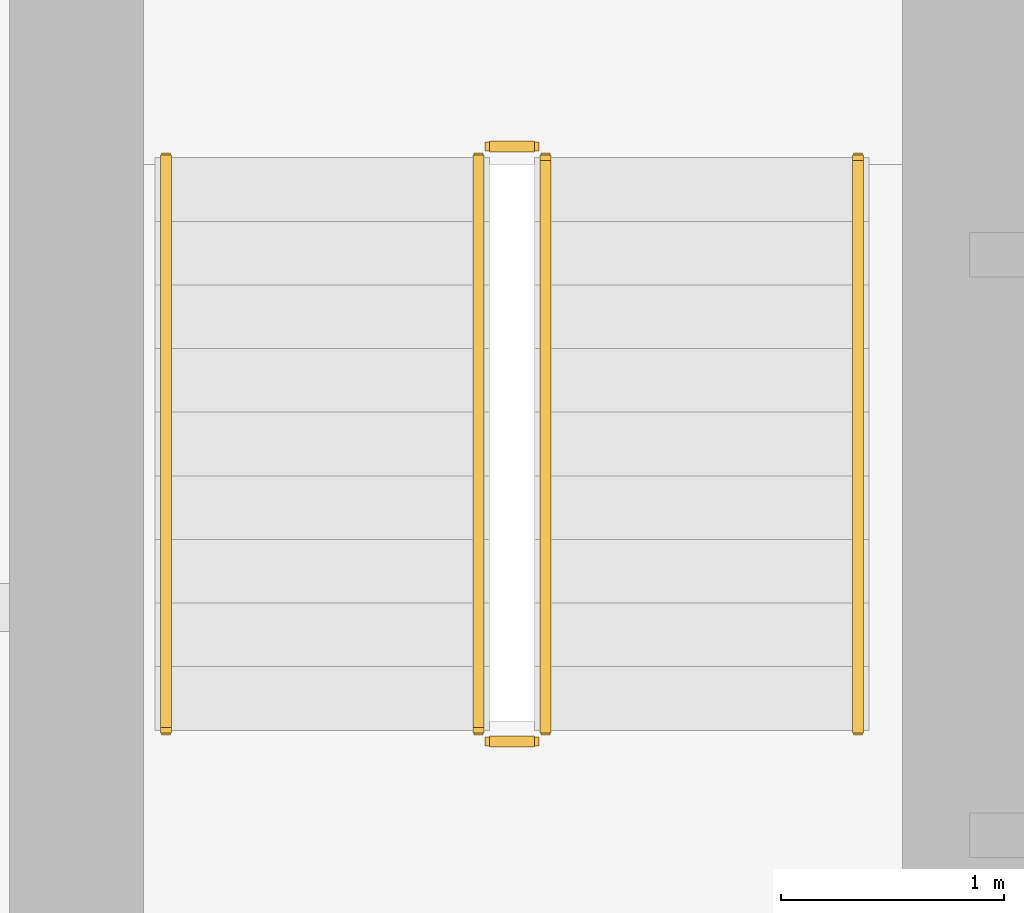
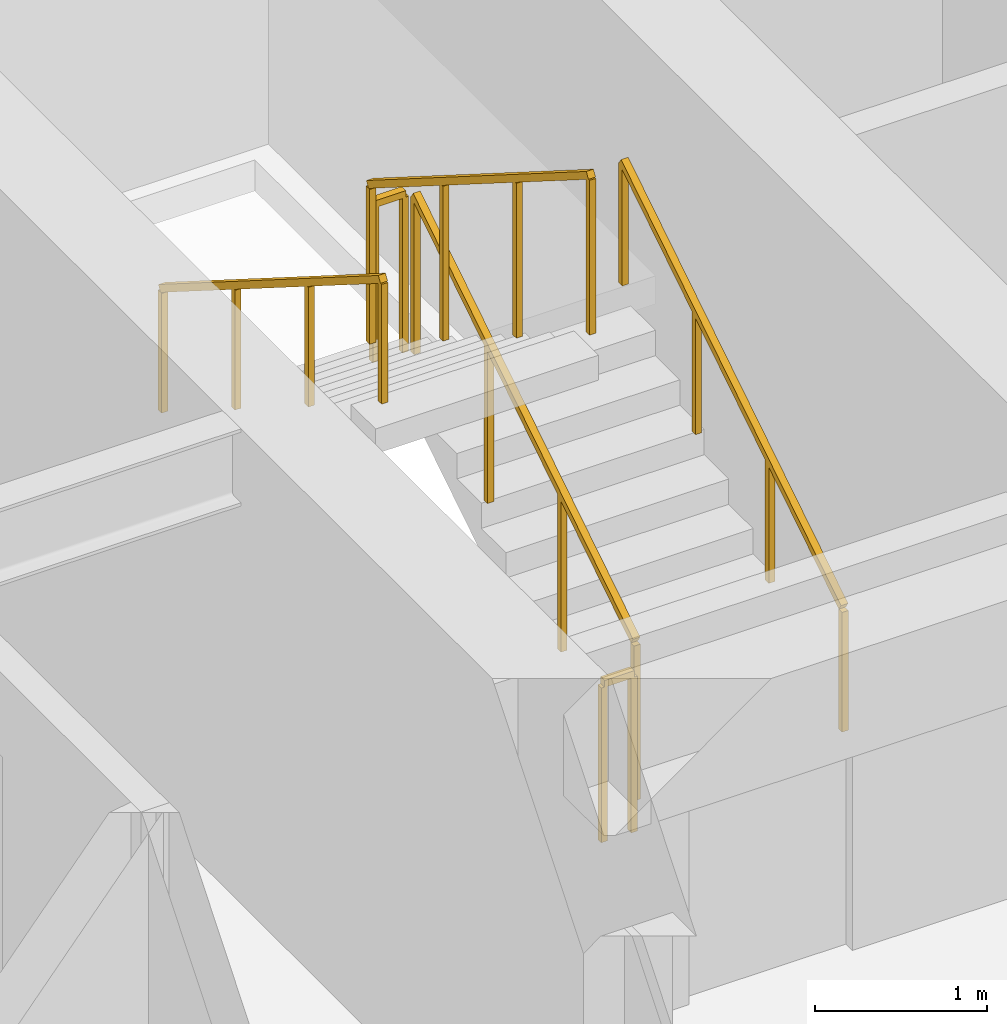
# One storey, part 24 of 26: 6 railings.
"""IFC4 building model written with IfcOpenShell, lengths in metres."""

from ifc_helpers import new_model, si_unit, direction, frame, origin, origin_2d, place, context, subcontext, project, spatial, rectangle, extrude, material, type_object, element, save


model = new_model("IFC4")

# Units and contexts
model_context = context("Model", 3, precision=1e-05, world=origin(), true_north=direction((0.0, 1.0)))
body_context = subcontext(model_context, "Body", "Model", "MODEL_VIEW")
ifc_project = project(units=[si_unit("LENGTHUNIT", "METRE"), si_unit("AREAUNIT", "SQUARE_METRE"), si_unit("VOLUMEUNIT", "CUBIC_METRE"), si_unit("PLANEANGLEUNIT", "RADIAN"), si_unit("MASSUNIT", "GRAM", prefix="KILO")], contexts=[model_context])

# Site, building, storey
site_placement = place(None, origin())
site = spatial("IfcSite", under=ifc_project, at=site_placement, CompositionType="ELEMENT")
building_placement = place(site_placement, origin())
building = spatial("IfcBuilding", under=site, at=building_placement, Name="Sarneth Arch Tower", CompositionType="ELEMENT")
storey_placement = place(building_placement, frame((0.0, 0.0, 49.800048828125)))
storey = spatial("IfcBuildingStorey", under=building, at=storey_placement, Name="L11", CompositionType="ELEMENT", Elevation=49.800048828125)

# Railings
ifc_material_1 = material(Name="Brushed Stainless Steel 304 tubular handrail", Category="steel")
railing_type_1 = type_object("IfcRailingType", Name="RAIL-HANDRAIL-900", PredefinedType="HANDRAIL", material=ifc_material_1)
railing_1_placement = place(storey_placement, frame((40.5, 41.449951171875, 0.179931640625)))
element("IfcRailing", 1, at=railing_1_placement, inside=storey, type_object=railing_type_1, Name="L11 ST-1 stair handrail 1", PredefinedType="HANDRAIL", context=body_context, shape_type="SweptSolid", body=[
    extrude(rectangle(XDim=0.048095703125, YDim=0.048095703125, at=origin_2d()), frame((0.0, 0.0, 0.8759765625), z_axis=(0.0, 0.845465955043, 0.534029323973), x_axis=(-1.0, 0.0, 0.0)), (0.0, 0.0, 1.0), 3.03369140625),
    extrude(rectangle(XDim=0.0419921875, YDim=0.0419921875, at=origin_2d()), origin(), (0.0, 0.0, 1.0), 0.851806640625),
    extrude(rectangle(XDim=0.0419921875, YDim=0.0419921875, at=origin_2d()), frame((0.0, 0.85498046875, 0.5400390625)), (0.0, 0.0, 1.0), 0.851806640625),
    extrude(rectangle(XDim=0.0419921875, YDim=0.0419921875, at=origin_2d()), frame((0.0, 1.7099609375, 1.080078125)), (0.0, 0.0, 1.0), 0.851806640625),
    extrude(rectangle(XDim=0.0419921875, YDim=0.0419921875, at=origin_2d()), frame((0.0, 2.56494140625, 1.6201171875)), (0.0, 0.0, 1.0), 0.851806640625),
])
railing_2_placement = place(storey_placement, frame((37.39990234375, 44.014892578125, 1.97998046875)))
element("IfcRailing", 2, at=railing_2_placement, inside=storey, type_object=railing_type_1, Name="L11 ST-1 stair handrail 2", PredefinedType="HANDRAIL", context=body_context, shape_type="SweptSolid", body=[
    extrude(rectangle(XDim=0.048095703125, YDim=0.048095703125, at=origin_2d()), frame((0.0, 0.0, 0.8759765625), z_axis=(0.0, -0.845502289212, 0.533971796014), x_axis=(1.0, 0.0, 0.0)), (0.0, 0.0, 1.0), 3.03369140625),
    extrude(rectangle(XDim=0.0419921875, YDim=0.0419921875, at=origin_2d()), origin(), (0.0, 0.0, 1.0), 0.851806640625),
    extrude(rectangle(XDim=0.0419921875, YDim=0.0419921875, at=origin_2d()), frame((0.0, -0.85498046875, 0.5400390625)), (0.0, 0.0, 1.0), 0.851806640625),
    extrude(rectangle(XDim=0.0419921875, YDim=0.0419921875, at=origin_2d()), frame((0.0, -1.7099609375, 1.079833984375)), (0.0, 0.0, 1.0), 0.851806640625),
    extrude(rectangle(XDim=0.0419921875, YDim=0.0419921875, at=origin_2d()), frame((0.0, -2.56494140625, 1.619873046875)), (0.0, 0.0, 1.0), 0.851806640625),
])
ifc_material_2 = material(Name="Painted Steel S275 stair well guard", Category="steel")
railing_type_2 = type_object("IfcRailingType", Name="RAIL-STAIR-GUARD", PredefinedType="GUARDRAIL", material=ifc_material_2)
railing_3_placement = place(storey_placement, frame((39.10009765625, 41.449951171875, 0.179931640625)))
element("IfcRailing", 3, at=railing_3_placement, inside=storey, type_object=railing_type_2, Name="L11 ST-1 stair guard 1", PredefinedType="GUARDRAIL", context=body_context, shape_type="SweptSolid", body=[
    extrude(rectangle(XDim=0.048095703125, YDim=0.048095703125, at=origin_2d()), frame((0.0, 0.0, 1.1259765625), z_axis=(0.0, 0.845465955043, 0.534029323973), x_axis=(-1.0, 0.0, 0.0)), (0.0, 0.0, 1.0), 3.03369140625),
    extrude(rectangle(XDim=0.0419921875, YDim=0.0419921875, at=origin_2d()), origin(), (0.0, 0.0, 1.0), 1.101806640625),
    extrude(rectangle(XDim=0.0419921875, YDim=0.0419921875, at=origin_2d()), frame((0.0, 0.85498046875, 0.5400390625)), (0.0, 0.0, 1.0), 1.101806640625),
    extrude(rectangle(XDim=0.0419921875, YDim=0.0419921875, at=origin_2d()), frame((0.0, 1.7099609375, 1.080078125)), (0.0, 0.0, 1.0), 1.101806640625),
    extrude(rectangle(XDim=0.0419921875, YDim=0.0419921875, at=origin_2d()), frame((0.0, 2.56494140625, 1.6201171875)), (0.0, 0.0, 1.0), 1.101806640625),
])
railing_4_placement = place(storey_placement, frame((39.050048828125, 44.06494140625, 1.800048828125)))
element("IfcRailing", 4, at=railing_4_placement, inside=storey, type_object=railing_type_2, Name="L11 ST-1 stair guard 2", PredefinedType="GUARDRAIL", context=body_context, shape_type="SweptSolid", body=[
    extrude(rectangle(XDim=0.048095703125, YDim=0.048095703125, at=origin_2d()), frame((0.0, 0.0, 1.1259765625), z_axis=(-1.0, 0.0, 0.0), x_axis=(0.0, -1.0, 0.0)), (0.0, 0.0, 1.0), 0.199951171875),
    extrude(rectangle(XDim=0.0419921875, YDim=0.0419921875, at=origin_2d()), origin(), (0.0, 0.0, 1.0), 1.101806640625),
    extrude(rectangle(XDim=0.0419921875, YDim=0.0419921875, at=origin_2d()), frame((-0.199951171875, 0.0, 0.0)), (0.0, 0.0, 1.0), 1.101806640625),
])
railing_5_placement = place(storey_placement, frame((38.800048828125, 44.014892578125, 1.97998046875)))
element("IfcRailing", 5, at=railing_5_placement, inside=storey, type_object=railing_type_2, Name="L11 ST-1 stair guard 3", PredefinedType="GUARDRAIL", context=body_context, shape_type="SweptSolid", body=[
    extrude(rectangle(XDim=0.048095703125, YDim=0.048095703125, at=origin_2d()), frame((0.0, 0.0, 1.1259765625), z_axis=(0.0, -0.845502289212, 0.533971796014), x_axis=(1.0, 0.0, 0.0)), (0.0, 0.0, 1.0), 3.03369140625),
    extrude(rectangle(XDim=0.0419921875, YDim=0.0419921875, at=origin_2d()), origin(), (0.0, 0.0, 1.0), 1.101806640625),
    extrude(rectangle(XDim=0.0419921875, YDim=0.0419921875, at=origin_2d()), frame((0.0, -0.85498046875, 0.5400390625)), (0.0, 0.0, 1.0), 1.101806640625),
    extrude(rectangle(XDim=0.0419921875, YDim=0.0419921875, at=origin_2d()), frame((0.0, -1.7099609375, 1.079833984375)), (0.0, 0.0, 1.0), 1.101806640625),
    extrude(rectangle(XDim=0.0419921875, YDim=0.0419921875, at=origin_2d()), frame((0.0, -2.56494140625, 1.619873046875)), (0.0, 0.0, 1.0), 1.101806640625),
])
railing_6_placement = place(storey_placement, frame((39.050048828125, 41.39990234375, 0.0)))
element("IfcRailing", 6, at=railing_6_placement, inside=storey, type_object=railing_type_2, Name="L11 ST-1 stair guard 4", PredefinedType="GUARDRAIL", context=body_context, shape_type="SweptSolid", body=[
    extrude(rectangle(XDim=0.048095703125, YDim=0.048095703125, at=origin_2d()), frame((0.0, 0.0, 1.1259765625), z_axis=(-1.0, 0.0, 0.0), x_axis=(0.0, -1.0, 0.0)), (0.0, 0.0, 1.0), 0.199951171875),
    extrude(rectangle(XDim=0.0419921875, YDim=0.0419921875, at=origin_2d()), origin(), (0.0, 0.0, 1.0), 1.101806640625),
    extrude(rectangle(XDim=0.0419921875, YDim=0.0419921875, at=origin_2d()), frame((-0.199951171875, 0.0, 0.0)), (0.0, 0.0, 1.0), 1.101806640625),
])

save(model, "model.ifc")
